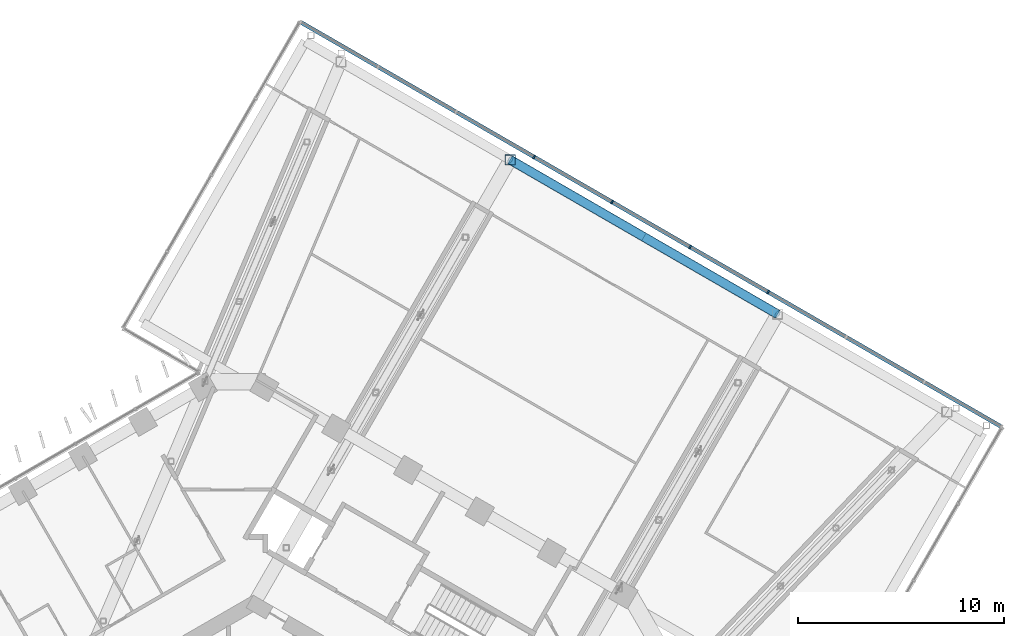
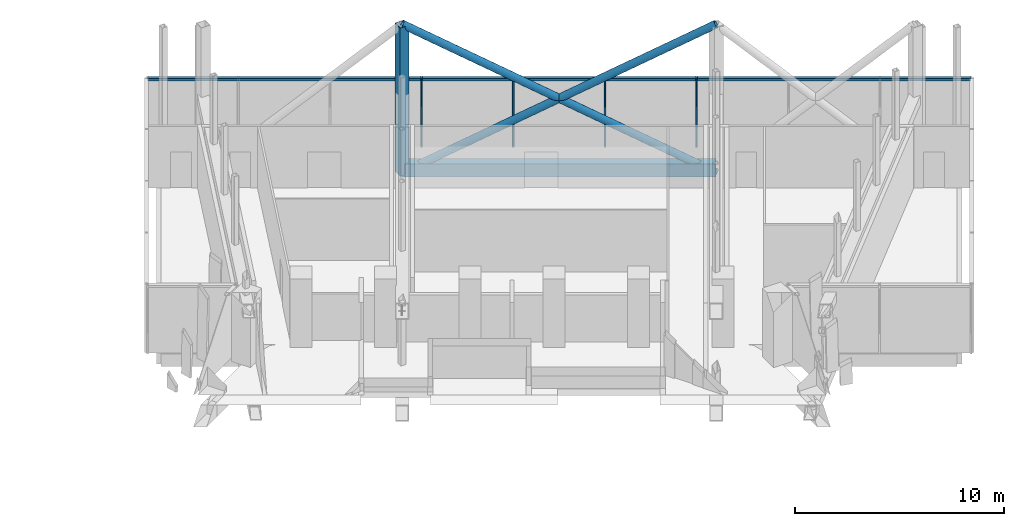
# One storey, part 10 of 31: 8 members, 1 beam, 1 element without a shape of its own.
"""IFC4 building model written with IfcOpenShell, lengths in metres."""

import ifcopenshell
import ifcopenshell.guid

model = None  # the IFC model being written
_history = None  # IfcOwnerHistory: only IFC2X3 demands one
_inside = {}  # id of a spatial element -> (the spatial element, [elements in it])
_under = {}  # id of a project, library or spatial element -> (it, [spatial elements below it])
_declared = {}  # id of a project -> (the project, [libraries it declares])
_typed = {}  # id of a type object -> (the type object, [elements of that type])
_made_of = {}  # id of a material, layer set ... -> (it, [elements and type objects made of it])


def new_model(schema):
    """Start an empty IFC model of exactly this schema.

    Asked for "IFC4X3", IfcOpenShell would pick the latest addendum, in which some entities
    have other attributes; the version numbers below select the first issue.
    IFC2X3 requires an IfcOwnerHistory on every rooted entity: one is made here for all.
    """
    global model, _history
    if schema == "IFC4X3":
        model = ifcopenshell.file(schema_version=(4, 3, 0, 0))
    else:
        model = ifcopenshell.file(schema=schema)
    _inside.clear()
    _under.clear()
    _declared.clear()
    _typed.clear()
    _made_of.clear()
    _history = None
    if model.schema == "IFC2X3":
        org = make("IfcOrganization", Name="unknown")
        user = make(
            "IfcPersonAndOrganization",
            ThePerson=make("IfcPerson", FamilyName="unknown"),
            TheOrganization=org,
        )
        app = make(
            "IfcApplication",
            ApplicationDeveloper=org,
            Version="unknown",
            ApplicationFullName="unknown",
            ApplicationIdentifier="unknown",
        )
        _history = make(
            "IfcOwnerHistory",
            OwningUser=user,
            OwningApplication=app,
            ChangeAction="ADDED",
            CreationDate=0,
        )
    return model


def make(cls, **values):
    """One entity of the class cls with the attributes given. An attribute that is None is left unset."""
    return model.create_entity(
        cls, **{name: value for name, value in values.items() if value is not None}
    )


def rooted(cls, **values):
    """An entity with a GlobalId (a new one), such as an element, a storey or a relation."""
    return make(cls, GlobalId=ifcopenshell.guid.new(), OwnerHistory=_history, **values)


def si_unit(unit_type, name, prefix=None):
    """IfcSIUnit, for example si_unit("LENGTHUNIT", "METRE", prefix="MILLI")."""
    return make("IfcSIUnit", UnitType=unit_type, Prefix=prefix, Name=name)


def assignment(units):
    """IfcUnitAssignment: the units of a project."""
    return None if units is None else make("IfcUnitAssignment", Units=units)


def point(xyz):
    """IfcCartesianPoint."""
    return None if xyz is None else make("IfcCartesianPoint", Coordinates=xyz)


def direction(xyz):
    """IfcDirection."""
    return None if xyz is None else make("IfcDirection", DirectionRatios=xyz)


def frame(location, z_axis=None, x_axis=None):
    """IfcAxis2Placement3D, a coordinate frame: its origin and axes. An axis left out is left unset."""
    return make(
        "IfcAxis2Placement3D",
        Location=point(location),
        Axis=direction(z_axis),
        RefDirection=direction(x_axis),
    )


def frame_2d(location, x_axis=None):
    """IfcAxis2Placement2D, a coordinate frame in the plane: its origin and x axis."""
    return make(
        "IfcAxis2Placement2D", Location=point(location), RefDirection=direction(x_axis)
    )


def origin():
    """The frame at (0, 0, 0) with its axes left unset."""
    return frame((0.0, 0.0, 0.0))


def origin_2d():
    """The frame at (0, 0) in the plane with its x axis left unset."""
    return frame_2d((0.0, 0.0))


def place(relative_to, where):
    """IfcLocalPlacement: puts the frame where relative to a parent placement (None: the world)."""
    return make(
        "IfcLocalPlacement", PlacementRelTo=relative_to, RelativePlacement=where
    )


def context(
    kind, dimensions, precision=None, world=None, true_north=None, identifier=None
):
    """IfcGeometricRepresentationContext, for example the 3D "Model" context."""
    return make(
        "IfcGeometricRepresentationContext",
        ContextIdentifier=identifier,
        ContextType=kind,
        CoordinateSpaceDimension=dimensions,
        Precision=precision,
        WorldCoordinateSystem=world,
        TrueNorth=true_north,
    )


def subcontext(parent, identifier, kind, view, scale=None):
    """IfcGeometricRepresentationSubContext, for example "Body" below "Model"."""
    return make(
        "IfcGeometricRepresentationSubContext",
        ContextIdentifier=identifier,
        ContextType=kind,
        ParentContext=parent,
        TargetScale=scale,
        TargetView=view,
    )


def project(units=None, contexts=None):
    """IfcProject with its units and contexts."""
    return rooted(
        "IfcProject",
        Name="project",
        RepresentationContexts=contexts,
        UnitsInContext=assignment(units),
    )


def spatial(cls, under=None, at=None, **own):
    """A site, building, storey or space (cls), placed at a placement, below another one or the project."""
    s = rooted(cls, ObjectPlacement=at, **own)
    if under is not None:
        _under.setdefault(under.id(), (under, []))[1].append(s)
    return s


def profile(cls, at=None, kind="AREA", **sizes):
    """A parametric profile (cls). Its sizes go by their IFC names, for example OverallWidth=200.0."""
    return make(cls, ProfileType=kind, Position=at, **sizes)


def rectangle(**sizes):
    """IfcRectangleProfileDef."""
    return profile("IfcRectangleProfileDef", **sizes)


def hollow_rectangle(**sizes):
    """IfcRectangleHollowProfileDef."""
    return profile("IfcRectangleHollowProfileDef", **sizes)


def hollow_circle(**sizes):
    """IfcCircleHollowProfileDef."""
    return profile("IfcCircleHollowProfileDef", **sizes)


def extrude(swept, where, along, depth):
    """IfcExtrudedAreaSolid: the profile swept, set in the frame where, extruded along a direction by depth."""
    return make(
        "IfcExtrudedAreaSolid",
        SweptArea=swept,
        Position=where,
        ExtrudedDirection=direction(along),
        Depth=depth,
    )


def shape(context_of_items, identifier, shape_type, items):
    """IfcShapeRepresentation: the items that make up one representation, for example the "Body"."""
    return make(
        "IfcShapeRepresentation",
        ContextOfItems=context_of_items,
        RepresentationIdentifier=identifier,
        RepresentationType=shape_type,
        Items=items,
    )


def material(Name=None, Category=None):
    """IfcMaterial."""
    return make("IfcMaterial", Name=Name, Category=Category)


def layer(
    of_material, thickness, ventilated=None, Name=None, Category=None, Priority=None
):
    """IfcMaterialLayer: one layer of a wall or slab, of a material (None: an air gap)."""
    return make(
        "IfcMaterialLayer",
        Material=of_material,
        LayerThickness=thickness,
        IsVentilated=ventilated,
        Name=Name,
        Category=Category,
        Priority=Priority,
    )


def layer_set(layers, Name=None):
    """IfcMaterialLayerSet."""
    return make("IfcMaterialLayerSet", MaterialLayers=layers, LayerSetName=Name)


def material_profile(
    of_material, cross_section, Name=None, Category=None, Priority=None
):
    """IfcMaterialProfile: a cross section and its material."""
    return make(
        "IfcMaterialProfile",
        Name=Name,
        Material=of_material,
        Profile=cross_section,
        Priority=Priority,
        Category=Category,
    )


def profile_set(profiles, Name=None, composite=None):
    """IfcMaterialProfileSet."""
    return make(
        "IfcMaterialProfileSet",
        Name=Name,
        MaterialProfiles=profiles,
        CompositeProfile=composite,
    )


def made_of(thing, what):
    """Note that an element or type object is made of a material, layer set ...; save() writes the relation."""
    if what is not None:
        _made_of.setdefault(what.id(), (what, []))[1].append(thing)
    return thing


def type_object(cls, material=None, **own):
    """A type object (cls), such as IfcWallType, which elements share."""
    return made_of(rooted(cls, **own), material)


def element(
    cls,
    number,
    at=None,
    inside=None,
    cuts=None,
    type_object=None,
    material=None,
    context=None,
    identifier="Body",
    shape_type=None,
    held_by="IfcProductDefinitionShape",
    body=None,
    shapes=None,
    **own,
):
    """One element of the class cls, such as IfcWall. Its Tag is "e" and its number.

    at: its placement. inside: the storey or other place that contains it. cuts: it is an
    opening in that element (IfcRelVoidsElement). A single representation is given by context,
    identifier, shape_type and body (its items); several are given by shapes. held_by: the class
    of the entity that holds the representations. save() writes the other relations.
    """
    e = rooted(cls, Tag="e%d" % number, ObjectPlacement=at, **own)
    if body is not None:
        shapes = [shape(context, identifier, shape_type, body)]
    if shapes is not None:
        e.Representation = make(held_by, Representations=shapes)
    if inside is not None:
        _inside.setdefault(inside.id(), (inside, []))[1].append(e)
    if cuts is not None:
        rooted(
            "IfcRelVoidsElement", RelatingBuildingElement=cuts, RelatedOpeningElement=e
        )
    if type_object is not None:
        _typed.setdefault(type_object.id(), (type_object, []))[1].append(e)
    return made_of(e, material)


def aggregate(whole, parts):
    """IfcRelAggregates: a whole, such as a stair, and the parts it consists of."""
    return rooted("IfcRelAggregates", RelatingObject=whole, RelatedObjects=parts)


def save(model, path):
    """Write the relations noted so far, then the file.

    IfcRelAggregates (storeys below a building ...), IfcRelContainedInSpatialStructure (elements
    in a storey), IfcRelDefinesByType, IfcRelAssociatesMaterial and IfcRelDeclares: one each for
    every whole, place, type object, material and project.
    """
    for whole, parts in _under.values():
        aggregate(whole, parts)
    for where, things in _inside.values():
        rooted(
            "IfcRelContainedInSpatialStructure",
            RelatedElements=things,
            RelatingStructure=where,
        )
    for kind, things in _typed.values():
        rooted("IfcRelDefinesByType", RelatedObjects=things, RelatingType=kind)
    for what, things in _made_of.values():
        rooted("IfcRelAssociatesMaterial", RelatedObjects=things, RelatingMaterial=what)
    for by, libraries in _declared.values():
        rooted("IfcRelDeclares", RelatingContext=by, RelatedDefinitions=libraries)
    model.write(path)


model = new_model("IFC4")

# Units and contexts
model_context = context("Model", 3, precision=1e-05, world=origin(), true_north=direction((0.0, 1.0)))
body_context = subcontext(model_context, "Body", "Model", "MODEL_VIEW")
ifc_project = project(units=[si_unit("LENGTHUNIT", "METRE"), si_unit("AREAUNIT", "SQUARE_METRE"), si_unit("VOLUMEUNIT", "CUBIC_METRE"), si_unit("PLANEANGLEUNIT", "RADIAN"), si_unit("MASSUNIT", "GRAM", prefix="KILO")], contexts=[model_context])

# Site, building, storey
site_placement = place(None, origin())
site = spatial("IfcSite", under=ifc_project, at=site_placement, CompositionType="ELEMENT")
building_placement = place(site_placement, origin())
building = spatial("IfcBuilding", under=site, at=building_placement, Name="Ayvan Gate Tower", CompositionType="ELEMENT")
storey_placement = place(building_placement, frame((0.0, 0.0, 135.89990234375)))
storey = spatial("IfcBuildingStorey", under=building, at=storey_placement, Name="L36", CompositionType="ELEMENT", Elevation=135.89990234375)

# Beam
ifc_material_1 = material(Name="Concrete C40/50", Category="concrete")
ifc_material_profile_1 = material_profile(ifc_material_1, rectangle(XDim=0.449951171875, YDim=0.75, at=origin_2d()), Name="RC 450x750")
ifc_profile_set_1 = profile_set([ifc_material_profile_1], Name="Concrete C40/50")
beam_type = type_object("IfcBeamType", Name="Sky bar edge beam RC 450x750 C40/50", PredefinedType="BEAM", material=ifc_profile_set_1)
beam_placement = place(storey_placement, frame((12.4853515625, 32.125244140625, -0.77490234375), z_axis=(0.866027028085, -0.499997186618, 0.0), x_axis=(0.499997186618, 0.866027028085, 0.0)))
element("IfcBeam", 1, at=beam_placement, inside=storey, type_object=beam_type, Name="EB-B3-L36-5", PredefinedType="BEAM", context=body_context, shape_type="SweptSolid", body=[
    extrude(rectangle(XDim=0.449951171875, YDim=0.75, at=origin_2d()), origin(), (0.0, 0.0, 1.0), 15.0),
])

# Members
ifc_material_2 = material(Name="Steel S460ML", Category="steel")
ifc_material_profile_2 = material_profile(ifc_material_2, hollow_rectangle(XDim=0.5, YDim=0.5, WallThickness=0.030029296875, at=origin_2d()), Name="BOX 500x500x30")
ifc_profile_set_2 = profile_set([ifc_material_profile_2], Name="Steel S460ML")
member_type_1 = type_object("IfcMemberType", Name="Sky bar end wall post BOX 500x500x30", PredefinedType="POST", material=ifc_profile_set_2)
member_1_placement = place(storey_placement, frame((12.4853515625, 32.125244140625, -1.0498046875), z_axis=(0.0, 0.0, 1.0), x_axis=(1.0, 0.0, 0.0)))
element("IfcMember", 2, at=member_1_placement, inside=storey, type_object=member_type_1, Name="EXO-B3-P3", PredefinedType="POST", context=body_context, shape_type="SweptSolid", body=[
    extrude(hollow_rectangle(XDim=0.5, YDim=0.5, WallThickness=0.030029296875, at=origin_2d()), origin(), (0.0, 0.0, 1.0), 8.64990234375),
])
ifc_material_3 = material(Name="Steel S460NH", Category="steel")
ifc_material_profile_3 = material_profile(ifc_material_3, hollow_circle(Radius=0.203125, WallThickness=0.01611328125, at=origin_2d()), Name="CHS 406.4x16")
ifc_profile_set_3 = profile_set([ifc_material_profile_3], Name="Steel S460NH")
member_type_2 = type_object("IfcMemberType", Name="Sky bar exoskeleton brace CHS 406.4x16", PredefinedType="BRACE", material=ifc_profile_set_3)
for number, where, z_axis, x_axis, name in (
    (3, (25.475830078125, 24.625244140625, -1.0498046875), (-0.750226547743, 0.433140249707, 0.499549448148), (-0.499997186618, -0.866027028085, 0.0), "EXO-B3-D2A"),
    (4, (12.4853515625, 32.125244140625, -1.0498046875), (0.750226547743, -0.433140249707, 0.499549448148), (0.499997186618, 0.866027028085, 0.0), "EXO-B3-D2B"),
):
    element("IfcMember", number, at=place(storey_placement, frame(where, z_axis=z_axis, x_axis=x_axis)), inside=storey, type_object=member_type_2, Name=name, PredefinedType="BRACE", context=body_context, shape_type="SweptSolid", body=[
        extrude(hollow_circle(Radius=0.203125, WallThickness=0.01611328125, at=origin_2d()), origin(), (0.0, 0.0, 1.0), 17.3154296875),
    ])

# Curtain wall, members
ifc_material_4 = material(Name="Bronze anodised aluminium", Category="aluminium")
ifc_layer = layer(ifc_material_4, 0.199951171875)
ifc_layer_set = layer_set([ifc_layer], Name="Bronze anodised aluminium")
curtain_wall_type = type_object("IfcCurtainWallType", Name="Stick curtain wall CW-4", PredefinedType="NOTDEFINED", material=ifc_layer_set)
curtain_wall_placement = place(storey_placement, origin())
curtain_wall = element("IfcCurtainWall", 5, at=curtain_wall_placement, inside=storey, type_object=curtain_wall_type, Name="Stick curtain wall CW-4 L36", PredefinedType="NOTDEFINED")
ifc_material_profile_4 = material_profile(ifc_material_4, rectangle(XDim=0.199951171875, YDim=0.080078125, at=origin_2d()), Name="Stick curtain wall CW-4 mullion 200 x 80")
ifc_profile_set_4 = profile_set([ifc_material_profile_4], Name="Bronze anodised aluminium")
member_type_3 = type_object("IfcMemberType", Name="Stick curtain wall CW-4 mullion 200 x 80", PredefinedType="MULLION", material=ifc_profile_set_4)
member_2_placement = place(storey_placement, frame((25.017333984375, 25.6982421875, 0.0), z_axis=(0.0, 0.0, 1.0), x_axis=(0.5, 0.866025403784, 0.0)))
member_2 = element("IfcMember", 6, at=member_2_placement, type_object=member_type_3, Name="CW-4 mullion 4", PredefinedType="MULLION", context=body_context, shape_type="SweptSolid", body=[
    extrude(rectangle(XDim=0.199951171875, YDim=0.080078125, at=origin_2d()), origin(), (0.0, 0.0, 1.0), 4.0),
])
member_3_placement = place(storey_placement, frame((21.22607421875, 27.886962890625, 0.0), z_axis=(0.0, 0.0, 1.0), x_axis=(0.5, 0.866025403784, 0.0)))
member_3 = element("IfcMember", 7, at=member_3_placement, type_object=member_type_3, Name="CW-4 mullion 5", PredefinedType="MULLION", context=body_context, shape_type="SweptSolid", body=[
    extrude(rectangle(XDim=0.199951171875, YDim=0.080078125, at=origin_2d()), origin(), (0.0, 0.0, 1.0), 4.0),
])
member_4_placement = place(storey_placement, frame((17.434814453125, 30.075927734375, 0.0), z_axis=(0.0, 0.0, 1.0), x_axis=(0.5, 0.866025403784, 0.0)))
member_4 = element("IfcMember", 8, at=member_4_placement, type_object=member_type_3, Name="CW-4 mullion 6", PredefinedType="MULLION", context=body_context, shape_type="SweptSolid", body=[
    extrude(rectangle(XDim=0.199951171875, YDim=0.080078125, at=origin_2d()), origin(), (0.0, 0.0, 1.0), 4.0),
])
member_5_placement = place(storey_placement, frame((13.6435546875, 32.264892578125, 0.0), z_axis=(0.0, 0.0, 1.0), x_axis=(0.5, 0.866025403784, 0.0)))
member_5 = element("IfcMember", 9, at=member_5_placement, type_object=member_type_3, Name="CW-4 mullion 7", PredefinedType="MULLION", context=body_context, shape_type="SweptSolid", body=[
    extrude(rectangle(XDim=0.199951171875, YDim=0.080078125, at=origin_2d()), origin(), (0.0, 0.0, 1.0), 4.0),
])
ifc_material_profile_5 = material_profile(ifc_material_4, rectangle(XDim=0.199951171875, YDim=0.139892578125, at=origin_2d()), Name="Stick curtain wall CW-4 transom 200 x 140")
ifc_profile_set_5 = profile_set([ifc_material_profile_5], Name="Bronze anodised aluminium")
member_type_4 = type_object("IfcMemberType", Name="Stick curtain wall CW-4 transom 200 x 140", PredefinedType="USERDEFINED", material=ifc_profile_set_5)
member_6_placement = place(storey_placement, frame((36.356689453125, 19.1513671875, 3.93017578125), z_axis=(-0.866024491936, 0.500001579365, 0.0), x_axis=(-0.500001579365, -0.866024491936, 0.0)))
member_6 = element("IfcMember", 10, at=member_6_placement, type_object=member_type_4, Name="CW-4 transom 1", ObjectType="TRANSOM", PredefinedType="USERDEFINED", context=body_context, shape_type="SweptSolid", body=[
    extrude(rectangle(XDim=0.199951171875, YDim=0.139892578125, at=origin_2d()), origin(), (0.0, 0.0, 1.0), 39.320068359375),
])
aggregate(curtain_wall, [member_2, member_3, member_4, member_5, member_6])

save(model, "model.ifc")
